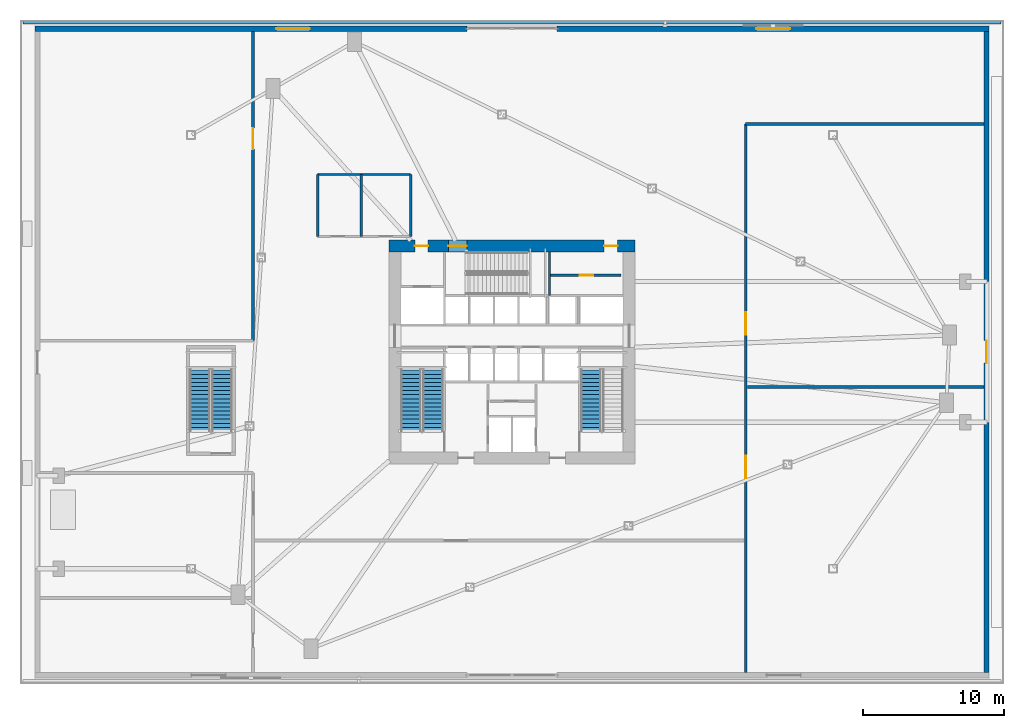
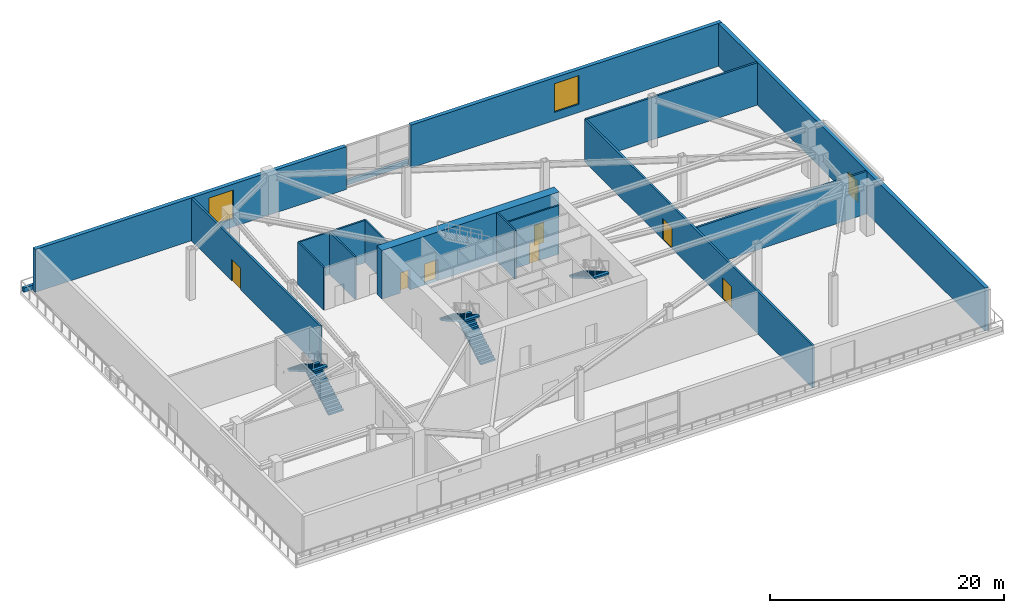
# One storey, part 10 of 15: 15 walls, 8 doors, 5 stair flights, 2 windows, 10 openings, 3 elements without a shape of their own.
"""IFC4 building model written with IfcOpenShell, lengths in metres."""

from ifc_helpers import new_model, si_unit, direction, frame, frame_2d, origin, place, context, subcontext, project, spatial, polyline, rectangle, outline, extrude, source, transform, mapped, material, layer, layer_set, type_object, type_shapes, element, fill, aggregate, save


model = new_model("IFC4")

# Units and contexts
model_context = context("Model", 3, precision=1e-05, world=origin(), true_north=direction((0.0, 1.0)))
body_context = subcontext(model_context, "Body", "Model", "MODEL_VIEW")
ifc_project = project(units=[si_unit("LENGTHUNIT", "METRE"), si_unit("AREAUNIT", "SQUARE_METRE"), si_unit("VOLUMEUNIT", "CUBIC_METRE"), si_unit("PLANEANGLEUNIT", "RADIAN"), si_unit("MASSUNIT", "GRAM", prefix="KILO")], contexts=[model_context])

# Site, building, storey
site_placement = place(None, origin())
site = spatial("IfcSite", under=ifc_project, at=site_placement, CompositionType="ELEMENT")
building_placement = place(site_placement, origin())
building = spatial("IfcBuilding", under=site, at=building_placement, Name="Olszyna Solenne Hotel", CompositionType="ELEMENT")
storey_placement = place(building_placement, frame((0.0, 0.0, 10.199951171875)))
storey = spatial("IfcBuildingStorey", under=building, at=storey_placement, Name="L02", CompositionType="ELEMENT", Elevation=10.199951171875)

# Wall, openings, doors
ifc_material_1 = material(Name="Concrete C60/75", Category="concrete")
ifc_layer_1 = layer(ifc_material_1, 0.85009765625, Name="Concrete C60/75")
ifc_layer_set_1 = layer_set([ifc_layer_1], Name="Concrete C60/75")
wall_type_1 = type_object("IfcWallType", Name="WL-CR850", PredefinedType="SHEAR", material=ifc_layer_set_1)
wall_1_placement = place(storey_placement, frame((29.25, 34.125, 0.0), z_axis=(0.0, 0.0, 1.0), x_axis=(1.0, 0.0, 0.0)))
wall_1 = element("IfcWall", 1, at=wall_1_placement, inside=storey, type_object=wall_type_1, Name="Core shear wall WL-CR850 CRW-L02-N", PredefinedType="SHEAR", context=body_context, shape_type="SweptSolid", body=[
    extrude(rectangle(XDim=17.5, YDim=0.85009765625, at=frame_2d((8.75, 0.0))), origin(), (0.0, 0.0, 1.0), 5.080078125),
])
opening_1_placement = place(wall_1_placement, frame((1.85009765625, 0.0, 0.0)))
opening_1 = element("IfcOpeningElement", 2, at=opening_1_placement, cuts=wall_1, Name="Opening SVD-L02-01", PredefinedType="OPENING", context=body_context, shape_type="SweptSolid", body=[
    extrude(rectangle(XDim=0.949951171875, YDim=2.10009765625, at=frame_2d((0.47509765625, 1.050048828125))), frame((0.0, 0.43505859375, 0.0), z_axis=(0.0, -1.0, 0.0), x_axis=(1.0, 0.0, 0.0)), (0.0, 0.0, 1.0), 0.8701171875),
])
opening_2_placement = place(wall_1_placement, frame((4.22998046875, 0.0, 0.0)))
opening_2 = element("IfcOpeningElement", 3, at=opening_2_placement, cuts=wall_1, Name="Opening STD-L02-03", PredefinedType="OPENING", context=body_context, shape_type="SweptSolid", body=[
    extrude(rectangle(XDim=1.320068359375, YDim=2.199951171875, at=frame_2d((0.66015625, 1.10009765625))), frame((0.0, 0.43505859375, 0.0), z_axis=(0.0, -1.0, 0.0), x_axis=(1.0, 0.0, 0.0)), (0.0, 0.0, 1.0), 0.8701171875),
])
opening_3_placement = place(wall_1_placement, frame((15.300048828125, 0.0, 0.0)))
opening_3 = element("IfcOpeningElement", 4, at=opening_3_placement, cuts=wall_1, Name="Opening SVD-L02-BN", PredefinedType="OPENING", context=body_context, shape_type="SweptSolid", body=[
    extrude(rectangle(XDim=0.949951171875, YDim=2.10009765625, at=frame_2d((0.47509765625, 1.050048828125))), frame((0.0, 0.43505859375, 0.0), z_axis=(0.0, -1.0, 0.0), x_axis=(1.0, 0.0, 0.0)), (0.0, 0.0, 1.0), 0.8701171875),
])
ifc_material_2 = material(Name="Steel S355J2", Category="steel")
door_type_1 = type_object("IfcDoorType", Name="DR-ST1", OperationType="NOTDEFINED", PredefinedType="DOOR", material=ifc_material_2)
shared_shape_1 = source(origin(), body_context, "Body", "SweptSolid", [
    extrude(rectangle(XDim=1.320068359375, YDim=2.199951171875, at=frame_2d((0.66015625, 1.10009765625))), frame((0.0, 0.02490234375, 0.0), z_axis=(0.0, -1.0, 0.0), x_axis=(1.0, 0.0, 0.0)), (0.0, 0.0, 1.0), 0.050048828125),
])
type_shapes(door_type_1, [shared_shape_1])
door_1_placement = place(opening_2_placement, origin())
door_1 = element("IfcDoor", 5, at=door_1_placement, inside=storey, type_object=door_type_1, Name="Pressurised exit stair ST3 fire door STD-L02-03", OperationType="SINGLE_SWING_RIGHT", OverallHeight=2.199951171875, OverallWidth=1.320068359375, PredefinedType="DOOR", context=body_context, shape_type="MappedRepresentation", body=[
    mapped(shared_shape_1, transform((0.0, 0.0, 0.0), x_axis=(1.0, 0.0, 0.0), y_axis=(0.0, 1.0, 0.0), z_axis=(0.0, 0.0, 1.0), scale=1.0)),
])
fill(opening_2, door_1)
door_type_2 = type_object("IfcDoorType", Name="DR-SV1", OperationType="NOTDEFINED", PredefinedType="DOOR", material=ifc_material_2)
shared_shape_2 = source(origin(), body_context, "Body", "SweptSolid", [
    extrude(rectangle(XDim=0.949951171875, YDim=2.10009765625, at=frame_2d((0.47509765625, 1.050048828125))), frame((0.0, 0.02490234375, 0.0), z_axis=(0.0, -1.0, 0.0), x_axis=(1.0, 0.0, 0.0)), (0.0, 0.0, 1.0), 0.050048828125),
])
type_shapes(door_type_2, [shared_shape_2])
door_2_placement = place(opening_1_placement, origin())
door_2 = element("IfcDoor", 6, at=door_2_placement, inside=storey, type_object=door_type_2, Name="Service lift lobby fire door SVD-L02-01", OperationType="SINGLE_SWING_LEFT", OverallHeight=2.10009765625, OverallWidth=0.949951171875, PredefinedType="DOOR", context=body_context, shape_type="MappedRepresentation", body=[
    mapped(shared_shape_2, transform((0.0, 0.0, 0.0), x_axis=(1.0, 0.0, 0.0), y_axis=(0.0, 1.0, 0.0), z_axis=(0.0, 0.0, 1.0), scale=1.0)),
])
fill(opening_1, door_2)
door_3_placement = place(opening_3_placement, origin())
door_3 = element("IfcDoor", 7, at=door_3_placement, inside=storey, type_object=door_type_2, Name="Housekeeping core fire door SVD-L02-BN", OperationType="SINGLE_SWING_LEFT", OverallHeight=2.10009765625, OverallWidth=0.949951171875, PredefinedType="DOOR", context=body_context, shape_type="MappedRepresentation", body=[
    mapped(shared_shape_2, transform((0.0, 0.0, 0.0), x_axis=(1.0, 0.0, 0.0), y_axis=(0.0, 1.0, 0.0), z_axis=(0.0, 0.0, 1.0), scale=1.0)),
])
fill(opening_3, door_3)

# Wall, opening, window
ifc_material_3 = material(Name="Terracotta cladding on precast concrete C45/55", Category="masonry")
ifc_layer_2 = layer(ifc_material_3, 0.3798828125, Name="Terracotta cladding on precast concrete C45/55")
ifc_layer_set_2 = layer_set([ifc_layer_2], Name="Terracotta cladding on precast concrete C45/55")
wall_type_2 = type_object("IfcWallType", Name="WL-EX380", PredefinedType="SOLIDWALL", material=ifc_layer_set_2)
wall_2_placement = place(storey_placement, frame((4.10009765625, 49.570068359375, 0.0), z_axis=(0.0, 0.0, 1.0), x_axis=(1.0, 0.0, 0.0)))
wall_2 = element("IfcWall", 8, at=wall_2_placement, inside=storey, type_object=wall_type_2, Name="Podium terracotta-precast exterior wall EW-L02-NW", PredefinedType="SOLIDWALL", context=body_context, shape_type="SweptSolid", body=[
    extrude(rectangle(XDim=30.699951171875, YDim=0.3798828125, at=frame_2d((15.35009765625, 0.0))), origin(), (0.0, 0.0, 1.0), 4.47216796875),
])
opening_4_placement = place(wall_2_placement, frame((17.14990234375, 0.0, 0.85009765625)))
opening_4 = element("IfcOpeningElement", 9, at=opening_4_placement, cuts=wall_2, Name="Opening WN-L02-011", PredefinedType="OPENING", context=body_context, shape_type="SweptSolid", body=[
    extrude(rectangle(XDim=2.39990234375, YDim=3.0, at=frame_2d((1.199951171875, 1.5))), frame((0.0, 0.199951171875, 0.0), z_axis=(0.0, -1.0, 0.0), x_axis=(1.0, 0.0, 0.0)), (0.0, 0.0, 1.0), 0.39990234375),
])
ifc_material_4 = material(Name="Low-E triple glazing", Category="glass")
window_type = type_object("IfcWindowType", Name="WN-PD1", PartitioningType="SINGLE_PANEL", PredefinedType="WINDOW", material=ifc_material_4)
shared_shape_3 = source(origin(), body_context, "Body", "SweptSolid", [
    extrude(rectangle(XDim=2.39990234375, YDim=3.0, at=frame_2d((1.199951171875, 1.5))), frame((0.0, 0.030029296875, 0.0), z_axis=(0.0, -1.0, 0.0), x_axis=(1.0, 0.0, 0.0)), (0.0, 0.0, 1.0), 0.06005859375),
])
type_shapes(window_type, [shared_shape_3])
window_1_placement = place(opening_4_placement, origin())
window_1 = element("IfcWindow", 10, at=window_1_placement, inside=storey, type_object=window_type, Name="Podium triple-glazed window WN-PD1 WN-L02-011", OverallHeight=3.0, OverallWidth=2.39990234375, PartitioningType="SINGLE_PANEL", PredefinedType="WINDOW", context=body_context, shape_type="MappedRepresentation", body=[
    mapped(shared_shape_3, transform((0.0, 0.0, 0.0), x_axis=(1.0, 0.0, 0.0), y_axis=(0.0, 1.0, 0.0), z_axis=(0.0, 0.0, 1.0), scale=1.0)),
])
fill(opening_4, window_1)

wall_3_placement = place(storey_placement, frame((41.199951171875, 49.570068359375, 0.0), z_axis=(0.0, 0.0, 1.0), x_axis=(1.0, 0.0, 0.0)))
wall_3 = element("IfcWall", 11, at=wall_3_placement, inside=storey, type_object=wall_type_2, Name="Podium terracotta-precast exterior wall EW-L02-NE", PredefinedType="SOLIDWALL", context=body_context, shape_type="SweptSolid", body=[
    extrude(rectangle(XDim=30.699951171875, YDim=0.3798828125, at=frame_2d((15.35009765625, 0.0))), origin(), (0.0, 0.0, 1.0), 4.47216796875),
])
opening_5_placement = place(wall_3_placement, frame((14.14990234375, 0.0, 0.85009765625)))
opening_5 = element("IfcOpeningElement", 12, at=opening_5_placement, cuts=wall_3, Name="Opening WN-L02-012", PredefinedType="OPENING", context=body_context, shape_type="SweptSolid", body=[
    extrude(rectangle(XDim=2.39990234375, YDim=3.0, at=frame_2d((1.199951171875, 1.5))), frame((0.0, 0.199951171875, 0.0), z_axis=(0.0, -1.0, 0.0), x_axis=(1.0, 0.0, 0.0)), (0.0, 0.0, 1.0), 0.39990234375),
])
window_2_placement = place(opening_5_placement, origin())
window_2 = element("IfcWindow", 13, at=window_2_placement, inside=storey, type_object=window_type, Name="Podium triple-glazed window WN-PD1 WN-L02-012", OverallHeight=3.0, OverallWidth=2.39990234375, PartitioningType="SINGLE_PANEL", PredefinedType="WINDOW", context=body_context, shape_type="MappedRepresentation", body=[
    mapped(shared_shape_3, transform((0.0, 0.0, 0.0), x_axis=(1.0, 0.0, 0.0), y_axis=(0.0, 1.0, 0.0), z_axis=(0.0, 0.0, 1.0), scale=1.0)),
])
fill(opening_5, window_2)

# Wall, opening, door
wall_4_placement = place(storey_placement, frame((71.7099609375, 49.3798828125, 0.0), z_axis=(0.0, 0.0, 1.0), x_axis=(0.0, -1.0, 0.0)))
wall_4 = element("IfcWall", 14, at=wall_4_placement, inside=storey, type_object=wall_type_2, Name="Podium terracotta-precast exterior wall EW-L02-E", PredefinedType="SOLIDWALL", context=body_context, shape_type="SweptSolid", body=[
    extrude(rectangle(XDim=45.559814453125, YDim=0.3798828125, at=frame_2d((22.77978515625, 0.0))), origin(), (0.0, 0.0, 1.0), 4.47216796875),
])
opening_6_placement = place(wall_4_placement, frame((21.97998046875, 0.0, 0.0)))
opening_6 = element("IfcOpeningElement", 15, at=opening_6_placement, cuts=wall_4, Name="Opening TD-L02-E", PredefinedType="OPENING", context=body_context, shape_type="SweptSolid", body=[
    extrude(rectangle(XDim=1.60009765625, YDim=2.300048828125, at=frame_2d((0.800048828125, 1.14990234375))), frame((0.0, 0.199951171875, 0.0), z_axis=(0.0, -1.0, 0.0), x_axis=(1.0, 0.0, 0.0)), (0.0, 0.0, 1.0), 0.39990234375),
])
ifc_material_5 = material(Name="Anodised bronze aluminium", Category="aluminium")
door_type_3 = type_object("IfcDoorType", Name="DR-EX2", OperationType="DOUBLE_DOOR_SINGLE_SWING", PredefinedType="DOOR", material=ifc_material_5)
shared_shape_4 = source(origin(), body_context, "Body", "SweptSolid", [
    extrude(rectangle(XDim=1.60009765625, YDim=2.300048828125, at=frame_2d((0.800048828125, 1.14990234375))), frame((0.0, 0.02490234375, 0.0), z_axis=(0.0, -1.0, 0.0), x_axis=(1.0, 0.0, 0.0)), (0.0, 0.0, 1.0), 0.050048828125),
])
type_shapes(door_type_3, [shared_shape_4])
door_4_placement = place(opening_6_placement, origin())
door_4 = element("IfcDoor", 16, at=door_4_placement, inside=storey, type_object=door_type_3, Name="Garden Terrace Double Door TD-L02-E", OperationType="DOUBLE_DOOR_SINGLE_SWING", OverallHeight=2.300048828125, OverallWidth=1.60009765625, PredefinedType="DOOR", context=body_context, shape_type="MappedRepresentation", body=[
    mapped(shared_shape_4, transform((0.0, 0.0, 0.0), x_axis=(1.0, 0.0, 0.0), y_axis=(0.0, 1.0, 0.0), z_axis=(0.0, 0.0, 1.0), scale=1.0)),
])
fill(opening_6, door_4)

# Walls
ifc_layer_3 = layer(ifc_material_3, 0.280029296875, Name="Terracotta cladding on precast concrete C45/55")
ifc_layer_set_3 = layer_set([ifc_layer_3], Name="Terracotta cladding on precast concrete C45/55")
wall_type_3 = type_object("IfcWallType", Name="WL-PR280", PredefinedType="PARAPET", material=ifc_layer_set_3)
wall_5_placement = place(storey_placement, frame((3.25, 50.02001953125, 0.0), z_axis=(0.0, 0.0, 1.0), x_axis=(1.0, 0.0, 0.0)))
element("IfcWall", 17, at=wall_5_placement, inside=storey, type_object=wall_type_3, Name="Garden terrace parapet upstand PR-L02-N", PredefinedType="PARAPET", context=body_context, shape_type="SweptSolid", body=[
    extrude(rectangle(XDim=69.5, YDim=0.280029296875, at=frame_2d((34.75, 0.0))), origin(), (0.0, 0.0, 1.0), 0.449951171875),
])
ifc_material_6 = material(Name="Acoustic gypsum partition", Category="gypsum")
ifc_layer_4 = layer(ifc_material_6, 0.159912109375, Name="Acoustic gypsum partition")
ifc_layer_set_4 = layer_set([ifc_layer_4], Name="Acoustic gypsum partition")
wall_type_4 = type_object("IfcWallType", Name="WL-PT160", PredefinedType="PARTITIONING", material=ifc_layer_set_4)
wall_6_placement = place(storey_placement, frame((40.659912109375, 30.60009765625, 0.0), z_axis=(0.0, 0.0, 1.0), x_axis=(0.0, 1.0, 0.0)))
element("IfcWall", 18, at=wall_6_placement, inside=storey, type_object=wall_type_4, Name="Core shaft compartment wall CW-L02-ST3E", PredefinedType="PARTITIONING", context=body_context, shape_type="SweptSolid", body=[
    extrude(rectangle(XDim=3.099853515625, YDim=0.159912109375, at=frame_2d((1.5498046875, 0.0))), origin(), (0.0, 0.0, 1.0), 5.080078125),
])

# Wall, opening, door
wall_7_placement = place(storey_placement, frame((40.719970703125, 32.0458984375, 0.0), z_axis=(0.0, 0.0, 1.0), x_axis=(1.0, 0.0, 0.0)))
wall_7 = element("IfcWall", 19, at=wall_7_placement, inside=storey, type_object=wall_type_4, Name="Core shaft compartment wall CW-L02-BOH2", PredefinedType="PARTITIONING", context=body_context, shape_type="SweptSolid", body=[
    extrude(rectangle(XDim=5.030029296875, YDim=0.159912109375, at=frame_2d((2.51513671875, 0.0))), origin(), (0.0, 0.0, 1.0), 5.080078125),
])
opening_7_placement = place(wall_7_placement, frame((2.10009765625, 0.0, 0.0)))
opening_7 = element("IfcOpeningElement", 20, at=opening_7_placement, cuts=wall_7, Name="Opening SVD-L02-BI2", PredefinedType="OPENING", context=body_context, shape_type="SweptSolid", body=[
    extrude(rectangle(XDim=0.949951171875, YDim=2.10009765625, at=frame_2d((0.47509765625, 1.050048828125))), frame((0.0, 0.08984375, 0.0), z_axis=(0.0, -1.0, 0.0), x_axis=(1.0, 0.0, 0.0)), (0.0, 0.0, 1.0), 0.179931640625),
])
door_5_placement = place(opening_7_placement, origin())
door_5 = element("IfcDoor", 21, at=door_5_placement, inside=storey, type_object=door_type_2, Name="BOH inter-room fire door SVD-L02-BI2", OperationType="SINGLE_SWING_RIGHT", OverallHeight=2.10009765625, OverallWidth=0.949951171875, PredefinedType="DOOR", context=body_context, shape_type="MappedRepresentation", body=[
    mapped(shared_shape_2, transform((0.0, 0.0, 0.0), x_axis=(1.0, 0.0, 0.0), y_axis=(0.0, 1.0, 0.0), z_axis=(0.0, 0.0, 1.0), scale=1.0)),
])
fill(opening_7, door_5)

# Walls
wall_8_placement = place(storey_placement, frame((24.199951171875, 39.199951171875, 0.0), z_axis=(0.0, 0.0, 1.0), x_axis=(1.0, 0.0, 0.0)))
element("IfcWall", 22, at=wall_8_placement, inside=storey, type_object=wall_type_4, Name="Interior acoustic partition WL-PT160 PW-L02-0191", PredefinedType="PARTITIONING", context=body_context, shape_type="SweptSolid", body=[
    extrude(rectangle(XDim=6.60009765625, YDim=0.159912109375, at=frame_2d((3.300048828125, 0.0))), origin(), (0.0, 0.0, 1.0), 4.429931640625),
])
for number, where, z_axis, x_axis, name in (
    (23, (24.199951171875, 34.800048828125, 0.0), (0.0, 0.0, 1.0), (0.0, 1.0, 0.0), "Interior acoustic partition WL-PT160 PW-L02-0192"),
    (24, (27.300048828125, 34.800048828125, 0.0), (0.0, 0.0, 1.0), (0.0, 1.0, 0.0), "Interior acoustic partition WL-PT160 PW-L02-0193"),
    (25, (30.800048828125, 34.800048828125, 0.0), (0.0, 0.0, 1.0), (0.0, 1.0, 0.0), "Interior acoustic partition WL-PT160 PW-L02-0194"),
):
    element("IfcWall", number, at=place(storey_placement, frame(where, z_axis=z_axis, x_axis=x_axis)), inside=storey, type_object=wall_type_4, Name=name, PredefinedType="PARTITIONING", context=body_context, shape_type="SweptSolid", body=[
        extrude(rectangle(XDim=4.39990234375, YDim=0.159912109375, at=frame_2d((2.199951171875, 0.0))), origin(), (0.0, 0.0, 1.0), 4.429931640625),
    ])

# Wall, opening, door
ifc_layer_5 = layer(ifc_material_6, 0.199951171875, Name="Acoustic gypsum partition")
ifc_layer_set_5 = layer_set([ifc_layer_5], Name="Acoustic gypsum partition")
wall_type_5 = type_object("IfcWallType", Name="WL-PT200", PredefinedType="PARTITIONING", material=ifc_layer_set_5)
wall_9_placement = place(storey_placement, frame((19.60009765625, 27.39990234375, 0.0), z_axis=(0.0, 0.0, 1.0), x_axis=(0.0, 1.0, 0.0)))
wall_9 = element("IfcWall", 26, at=wall_9_placement, inside=storey, type_object=wall_type_5, Name="Interior acoustic partition WL-PT200 PW-L02-0184", PredefinedType="PARTITIONING", context=body_context, shape_type="SweptSolid", body=[
    extrude(rectangle(XDim=21.97998046875, YDim=0.199951171875, at=frame_2d((10.989990234375, 0.0))), origin(), (0.0, 0.0, 1.0), 4.429931640625),
])
opening_8_placement = place(wall_9_placement, frame((13.60009765625, 0.0, 0.0)))
opening_8 = element("IfcOpeningElement", 27, at=opening_8_placement, cuts=wall_9, Name="Opening DR-L02-0037", PredefinedType="OPENING", context=body_context, shape_type="SweptSolid", body=[
    extrude(rectangle(XDim=1.5, YDim=2.25, at=frame_2d((0.75, 1.125))), frame((0.0, 0.10986328125, 0.0), z_axis=(0.0, -1.0, 0.0), x_axis=(1.0, 0.0, 0.0)), (0.0, 0.0, 1.0), 0.219970703125),
])
door_type_4 = type_object("IfcDoorType", Name="DR-PL1", OperationType="DOUBLE_DOOR_SINGLE_SWING", PredefinedType="DOOR", material=ifc_material_2)
shared_shape_5 = source(origin(), body_context, "Body", "SweptSolid", [
    extrude(rectangle(XDim=1.5, YDim=2.25, at=frame_2d((0.75, 1.125))), frame((0.0, 0.02490234375, 0.0), z_axis=(0.0, -1.0, 0.0), x_axis=(1.0, 0.0, 0.0)), (0.0, 0.0, 1.0), 0.050048828125),
])
type_shapes(door_type_4, [shared_shape_5])
door_6_placement = place(opening_8_placement, origin())
door_6 = element("IfcDoor", 28, at=door_6_placement, inside=storey, type_object=door_type_4, Name="Kitchen Double Door DR-L02-0037", OperationType="DOUBLE_DOOR_SINGLE_SWING", OverallHeight=2.25, OverallWidth=1.5, PredefinedType="DOOR", context=body_context, shape_type="MappedRepresentation", body=[
    mapped(shared_shape_5, transform((0.0, 0.0, 0.0), x_axis=(1.0, 0.0, 0.0), y_axis=(0.0, 1.0, 0.0), z_axis=(0.0, 0.0, 1.0), scale=1.0)),
])
fill(opening_8, door_6)

# Wall, openings, doors
wall_10_placement = place(storey_placement, frame((54.60009765625, 3.820068359375, 0.0), z_axis=(0.0, 0.0, 1.0), x_axis=(0.0, 1.0, 0.0)))
wall_10 = element("IfcWall", 29, at=wall_10_placement, inside=storey, type_object=wall_type_5, Name="Interior acoustic partition WL-PT200 PW-L02-0187", PredefinedType="PARTITIONING", context=body_context, shape_type="SweptSolid", body=[
    extrude(rectangle(XDim=38.97998046875, YDim=0.199951171875, at=frame_2d((19.489990234375, 0.0))), origin(), (0.0, 0.0, 1.0), 4.429931640625),
])
opening_9_placement = place(wall_10_placement, frame((13.800048828125, 0.0, 0.0)))
opening_9 = element("IfcOpeningElement", 30, at=opening_9_placement, cuts=wall_10, Name="Opening DR-L02-0039", PredefinedType="OPENING", context=body_context, shape_type="SweptSolid", body=[
    extrude(rectangle(XDim=1.60009765625, YDim=2.199951171875, at=frame_2d((0.800048828125, 1.10009765625))), frame((0.0, 0.10986328125, 0.0), z_axis=(0.0, -1.0, 0.0), x_axis=(1.0, 0.0, 0.0)), (0.0, 0.0, 1.0), 0.219970703125),
])
opening_10_placement = place(wall_10_placement, frame((24.0, 0.0, 0.0)))
opening_10 = element("IfcOpeningElement", 31, at=opening_10_placement, cuts=wall_10, Name="Opening DR-L02-0040", PredefinedType="OPENING", context=body_context, shape_type="SweptSolid", body=[
    extrude(rectangle(XDim=1.60009765625, YDim=2.199951171875, at=frame_2d((0.800048828125, 1.10009765625))), frame((0.0, 0.10986328125, 0.0), z_axis=(0.0, -1.0, 0.0), x_axis=(1.0, 0.0, 0.0)), (0.0, 0.0, 1.0), 0.219970703125),
])
ifc_material_7 = material(Name="Timber hardwood", Category="wood")
door_type_5 = type_object("IfcDoorType", Name="DR-CR1", OperationType="DOUBLE_DOOR_SINGLE_SWING", PredefinedType="DOOR", material=ifc_material_7)
shared_shape_6 = source(origin(), body_context, "Body", "SweptSolid", [
    extrude(rectangle(XDim=1.60009765625, YDim=2.199951171875, at=frame_2d((0.800048828125, 1.10009765625))), frame((0.0, 0.02490234375, 0.0), z_axis=(0.0, -1.0, 0.0), x_axis=(1.0, 0.0, 0.0)), (0.0, 0.0, 1.0), 0.050048828125),
])
type_shapes(door_type_5, [shared_shape_6])
door_7_placement = place(opening_9_placement, origin())
door_7 = element("IfcDoor", 32, at=door_7_placement, inside=storey, type_object=door_type_5, Name="East Foyer Entrance DR-L02-0039", OperationType="DOUBLE_DOOR_SINGLE_SWING", OverallHeight=2.199951171875, OverallWidth=1.60009765625, PredefinedType="DOOR", context=body_context, shape_type="MappedRepresentation", body=[
    mapped(shared_shape_6, transform((0.0, 0.0, 0.0), x_axis=(1.0, 0.0, 0.0), y_axis=(0.0, 1.0, 0.0), z_axis=(0.0, 0.0, 1.0), scale=1.0)),
])
fill(opening_9, door_7)
door_8_placement = place(opening_10_placement, origin())
door_8 = element("IfcDoor", 33, at=door_8_placement, inside=storey, type_object=door_type_5, Name="East Gallery Entrance DR-L02-0040", OperationType="DOUBLE_DOOR_SINGLE_SWING", OverallHeight=2.199951171875, OverallWidth=1.60009765625, PredefinedType="DOOR", context=body_context, shape_type="MappedRepresentation", body=[
    mapped(shared_shape_6, transform((0.0, 0.0, 0.0), x_axis=(1.0, 0.0, 0.0), y_axis=(0.0, 1.0, 0.0), z_axis=(0.0, 0.0, 1.0), scale=1.0)),
])
fill(opening_10, door_8)

# Walls
wall_11_placement = place(storey_placement, frame((54.719970703125, 24.10009765625, 0.0), z_axis=(0.0, 0.0, 1.0), x_axis=(1.0, 0.0, 0.0)))
element("IfcWall", 34, at=wall_11_placement, inside=storey, type_object=wall_type_5, Name="Interior acoustic partition WL-PT200 PW-L02-0188", PredefinedType="PARTITIONING", context=body_context, shape_type="SweptSolid", body=[
    extrude(rectangle(XDim=16.800048828125, YDim=0.199951171875, at=frame_2d((8.39990234375, 0.0))), origin(), (0.0, 0.0, 1.0), 4.429931640625),
])
wall_12_placement = place(storey_placement, frame((54.60009765625, 42.800048828125, 0.0), z_axis=(0.0, 0.0, 1.0), x_axis=(1.0, 0.0, 0.0)))
element("IfcWall", 35, at=wall_12_placement, inside=storey, type_object=wall_type_5, Name="Interior acoustic partition WL-PT200 PW-L02-0189", PredefinedType="PARTITIONING", context=body_context, shape_type="SweptSolid", body=[
    extrude(rectangle(XDim=16.919921875, YDim=0.199951171875, at=frame_2d((8.4599609375, 0.0))), origin(), (0.0, 0.0, 1.0), 4.429931640625),
])

# Stair, stair flights
ifc_material_8 = material(Name="Concrete C40/50", Category="concrete")
stair_type_1 = type_object("IfcStairType", Name="STR-C1", PredefinedType="TWO_QUARTER_WINDING_STAIR", material=ifc_material_8)
stair_1_placement = place(storey_placement, origin())
stair_1 = element("IfcStair", 36, at=stair_1_placement, inside=storey, type_object=stair_type_1, Name="L02 ST1", PredefinedType="TWO_QUARTER_WINDING_STAIR")
stair_flight_type_1 = type_object("IfcStairFlightType", Name="FLT-C1", PredefinedType="STRAIGHT", material=ifc_material_8)
stair_flight_1_placement = place(storey_placement, frame((32.39501953125, 20.949951171875, 0.0), z_axis=(0.0, 0.0, 1.0), x_axis=(0.0, 1.0, 0.0)))
stair_flight_1 = element("IfcStairFlight", 37, at=stair_flight_1_placement, type_object=stair_flight_type_1, Name="ST1 flight 1", NumberOfRisers=16, NumberOfTreads=15, PredefinedType="STRAIGHT", RiserHeight=0.16875, TreadLength=0.29, context=body_context, shape_type="SweptSolid", body=[
    extrude(outline(polyline([(0.0, 0.0), (0.0, 0.168701171875), (0.2900390625, 0.168701171875), (0.2900390625, 0.33740234375), (0.580078125, 0.33740234375), (0.580078125, 0.50634765625), (0.8701171875, 0.50634765625), (0.8701171875, 0.675048828125), (1.159912109375, 0.675048828125), (1.159912109375, 0.84375), (1.449951171875, 0.84375), (1.449951171875, 1.012451171875), (1.739990234375, 1.012451171875), (1.739990234375, 1.18115234375), (2.030029296875, 1.18115234375), (2.030029296875, 1.35009765625), (2.320068359375, 1.35009765625), (2.320068359375, 1.518798828125), (2.610107421875, 1.518798828125), (2.610107421875, 1.6875), (2.89990234375, 1.6875), (2.89990234375, 1.856201171875), (3.18994140625, 1.856201171875), (3.18994140625, 2.02490234375), (3.47998046875, 2.02490234375), (3.47998046875, 2.19384765625), (3.77001953125, 2.19384765625), (3.77001953125, 2.362548828125), (4.06005859375, 2.362548828125), (4.06005859375, 2.53125), (4.35009765625, 2.53125), (4.35009765625, 2.699951171875), (4.35009765625, 2.35791015625), (0.298095703125, 0.0), (0.0, 0.0)])), frame((0.0, 0.72509765625, 0.0), z_axis=(0.0, -1.0, 0.0), x_axis=(1.0, 0.0, 0.0)), (0.0, 0.0, 1.0), 1.449951171875),
])
stair_flight_2_placement = place(storey_placement, frame((30.824951171875, 25.300048828125, 2.699951171875), z_axis=(0.0, 0.0, 1.0), x_axis=(0.0, -1.0, 0.0)))
stair_flight_2 = element("IfcStairFlight", 38, at=stair_flight_2_placement, type_object=stair_flight_type_1, Name="ST1 flight 2", NumberOfRisers=16, NumberOfTreads=15, PredefinedType="STRAIGHT", RiserHeight=0.16875, TreadLength=0.29, context=body_context, shape_type="SweptSolid", body=[
    extrude(outline(polyline([(0.0, 0.0), (0.0, 0.168701171875), (0.2900390625, 0.168701171875), (0.2900390625, 0.33740234375), (0.580078125, 0.33740234375), (0.580078125, 0.50634765625), (0.8701171875, 0.50634765625), (0.8701171875, 0.675048828125), (1.159912109375, 0.675048828125), (1.159912109375, 0.84375), (1.449951171875, 0.84375), (1.449951171875, 1.012451171875), (1.739990234375, 1.012451171875), (1.739990234375, 1.18115234375), (2.030029296875, 1.18115234375), (2.030029296875, 1.35009765625), (2.320068359375, 1.35009765625), (2.320068359375, 1.518798828125), (2.610107421875, 1.518798828125), (2.610107421875, 1.6875), (2.89990234375, 1.6875), (2.89990234375, 1.856201171875), (3.18994140625, 1.856201171875), (3.18994140625, 2.02490234375), (3.47998046875, 2.02490234375), (3.47998046875, 2.19384765625), (3.77001953125, 2.19384765625), (3.77001953125, 2.362548828125), (4.06005859375, 2.362548828125), (4.06005859375, 2.53125), (4.35009765625, 2.53125), (4.35009765625, 2.699951171875), (4.35009765625, 2.35791015625), (0.298095703125, 0.0), (0.0, 0.0)])), frame((0.0, 0.72509765625, 0.0), z_axis=(0.0, -1.0, 0.0), x_axis=(1.0, 0.0, 0.0)), (0.0, 0.0, 1.0), 1.449951171875),
])
aggregate(stair_1, [stair_flight_1, stair_flight_2])

# Stair, stair flight
stair_2_placement = place(storey_placement, origin())
stair_2 = element("IfcStair", 39, at=stair_2_placement, inside=storey, type_object=stair_type_1, Name="L02 ST2", PredefinedType="TWO_QUARTER_WINDING_STAIR")
stair_flight_3_placement = place(storey_placement, frame((43.60498046875, 25.300048828125, 2.699951171875), z_axis=(0.0, 0.0, 1.0), x_axis=(0.0, -1.0, 0.0)))
stair_flight_3 = element("IfcStairFlight", 40, at=stair_flight_3_placement, type_object=stair_flight_type_1, Name="ST2 flight 2", NumberOfRisers=16, NumberOfTreads=15, PredefinedType="STRAIGHT", RiserHeight=0.16875, TreadLength=0.29, context=body_context, shape_type="SweptSolid", body=[
    extrude(outline(polyline([(0.0, 0.0), (0.0, 0.168701171875), (0.2900390625, 0.168701171875), (0.2900390625, 0.33740234375), (0.580078125, 0.33740234375), (0.580078125, 0.50634765625), (0.8701171875, 0.50634765625), (0.8701171875, 0.675048828125), (1.159912109375, 0.675048828125), (1.159912109375, 0.84375), (1.449951171875, 0.84375), (1.449951171875, 1.012451171875), (1.739990234375, 1.012451171875), (1.739990234375, 1.18115234375), (2.030029296875, 1.18115234375), (2.030029296875, 1.35009765625), (2.320068359375, 1.35009765625), (2.320068359375, 1.518798828125), (2.610107421875, 1.518798828125), (2.610107421875, 1.6875), (2.89990234375, 1.6875), (2.89990234375, 1.856201171875), (3.18994140625, 1.856201171875), (3.18994140625, 2.02490234375), (3.47998046875, 2.02490234375), (3.47998046875, 2.19384765625), (3.77001953125, 2.19384765625), (3.77001953125, 2.362548828125), (4.06005859375, 2.362548828125), (4.06005859375, 2.53125), (4.35009765625, 2.53125), (4.35009765625, 2.699951171875), (4.35009765625, 2.35791015625), (0.298095703125, 0.0), (0.0, 0.0)])), frame((0.0, 0.72509765625, 0.0), z_axis=(0.0, -1.0, 0.0), x_axis=(1.0, 0.0, 0.0)), (0.0, 0.0, 1.0), 1.449951171875),
])
aggregate(stair_2, [stair_flight_3])

# Stair, stair flights
stair_type_2 = type_object("IfcStairType", Name="STR-P1", PredefinedType="TWO_QUARTER_WINDING_STAIR", material=ifc_material_8)
stair_3_placement = place(storey_placement, origin())
stair_3 = element("IfcStair", 41, at=stair_3_placement, inside=storey, type_object=stair_type_2, Name="L02 ST4", PredefinedType="TWO_QUARTER_WINDING_STAIR")
stair_flight_type_2 = type_object("IfcStairFlightType", Name="FLT-P1", PredefinedType="STRAIGHT", material=ifc_material_8)
stair_flight_4_placement = place(storey_placement, frame((17.39501953125, 20.949951171875, 0.0), z_axis=(0.0, 0.0, 1.0), x_axis=(0.0, 1.0, 0.0)))
stair_flight_4 = element("IfcStairFlight", 42, at=stair_flight_4_placement, type_object=stair_flight_type_2, Name="ST4 flight 1", NumberOfRisers=16, NumberOfTreads=15, PredefinedType="STRAIGHT", RiserHeight=0.16875, TreadLength=0.29, context=body_context, shape_type="SweptSolid", body=[
    extrude(outline(polyline([(0.0, 0.0), (0.0, 0.168701171875), (0.2900390625, 0.168701171875), (0.2900390625, 0.33740234375), (0.580078125, 0.33740234375), (0.580078125, 0.50634765625), (0.8701171875, 0.50634765625), (0.8701171875, 0.675048828125), (1.159912109375, 0.675048828125), (1.159912109375, 0.84375), (1.449951171875, 0.84375), (1.449951171875, 1.012451171875), (1.739990234375, 1.012451171875), (1.739990234375, 1.18115234375), (2.030029296875, 1.18115234375), (2.030029296875, 1.35009765625), (2.320068359375, 1.35009765625), (2.320068359375, 1.518798828125), (2.610107421875, 1.518798828125), (2.610107421875, 1.6875), (2.89990234375, 1.6875), (2.89990234375, 1.856201171875), (3.18994140625, 1.856201171875), (3.18994140625, 2.02490234375), (3.47998046875, 2.02490234375), (3.47998046875, 2.19384765625), (3.77001953125, 2.19384765625), (3.77001953125, 2.362548828125), (4.06005859375, 2.362548828125), (4.06005859375, 2.53125), (4.35009765625, 2.53125), (4.35009765625, 2.699951171875), (4.35009765625, 2.35791015625), (0.298095703125, 0.0), (0.0, 0.0)])), frame((0.0, 0.72509765625, 0.0), z_axis=(0.0, -1.0, 0.0), x_axis=(1.0, 0.0, 0.0)), (0.0, 0.0, 1.0), 1.449951171875),
])
stair_flight_5_placement = place(storey_placement, frame((15.824951171875, 25.300048828125, 2.699951171875), z_axis=(0.0, 0.0, 1.0), x_axis=(0.0, -1.0, 0.0)))
stair_flight_5 = element("IfcStairFlight", 43, at=stair_flight_5_placement, type_object=stair_flight_type_2, Name="ST4 flight 2", NumberOfRisers=16, NumberOfTreads=15, PredefinedType="STRAIGHT", RiserHeight=0.16875, TreadLength=0.29, context=body_context, shape_type="SweptSolid", body=[
    extrude(outline(polyline([(0.0, 0.0), (0.0, 0.168701171875), (0.2900390625, 0.168701171875), (0.2900390625, 0.33740234375), (0.580078125, 0.33740234375), (0.580078125, 0.50634765625), (0.8701171875, 0.50634765625), (0.8701171875, 0.675048828125), (1.159912109375, 0.675048828125), (1.159912109375, 0.84375), (1.449951171875, 0.84375), (1.449951171875, 1.012451171875), (1.739990234375, 1.012451171875), (1.739990234375, 1.18115234375), (2.030029296875, 1.18115234375), (2.030029296875, 1.35009765625), (2.320068359375, 1.35009765625), (2.320068359375, 1.518798828125), (2.610107421875, 1.518798828125), (2.610107421875, 1.6875), (2.89990234375, 1.6875), (2.89990234375, 1.856201171875), (3.18994140625, 1.856201171875), (3.18994140625, 2.02490234375), (3.47998046875, 2.02490234375), (3.47998046875, 2.19384765625), (3.77001953125, 2.19384765625), (3.77001953125, 2.362548828125), (4.06005859375, 2.362548828125), (4.06005859375, 2.53125), (4.35009765625, 2.53125), (4.35009765625, 2.699951171875), (4.35009765625, 2.35791015625), (0.298095703125, 0.0), (0.0, 0.0)])), frame((0.0, 0.72509765625, 0.0), z_axis=(0.0, -1.0, 0.0), x_axis=(1.0, 0.0, 0.0)), (0.0, 0.0, 1.0), 1.449951171875),
])
aggregate(stair_3, [stair_flight_4, stair_flight_5])

save(model, "model.ifc")
